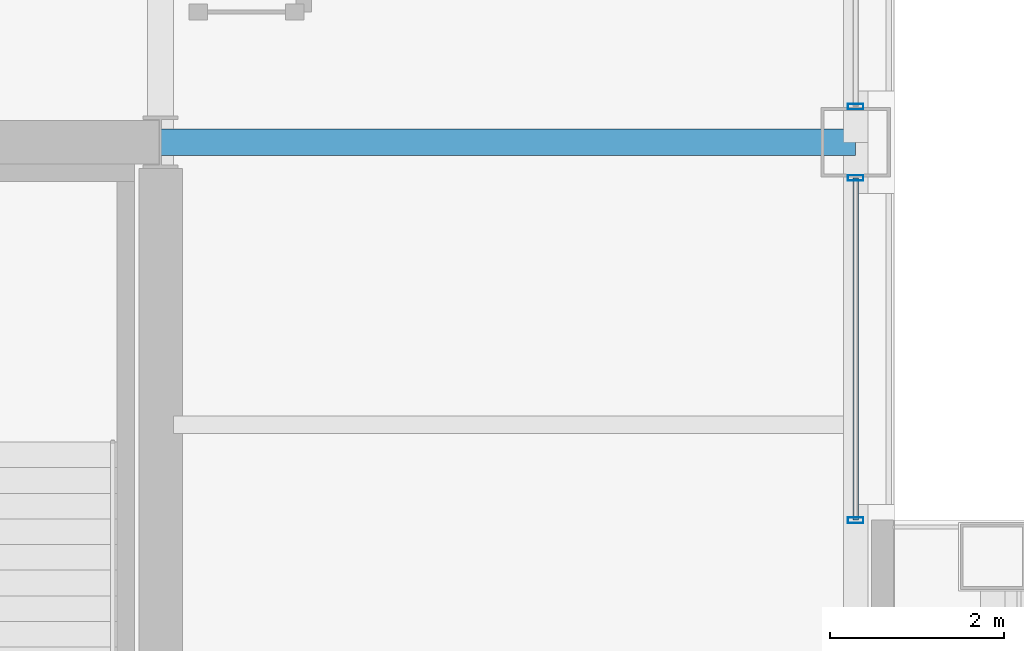
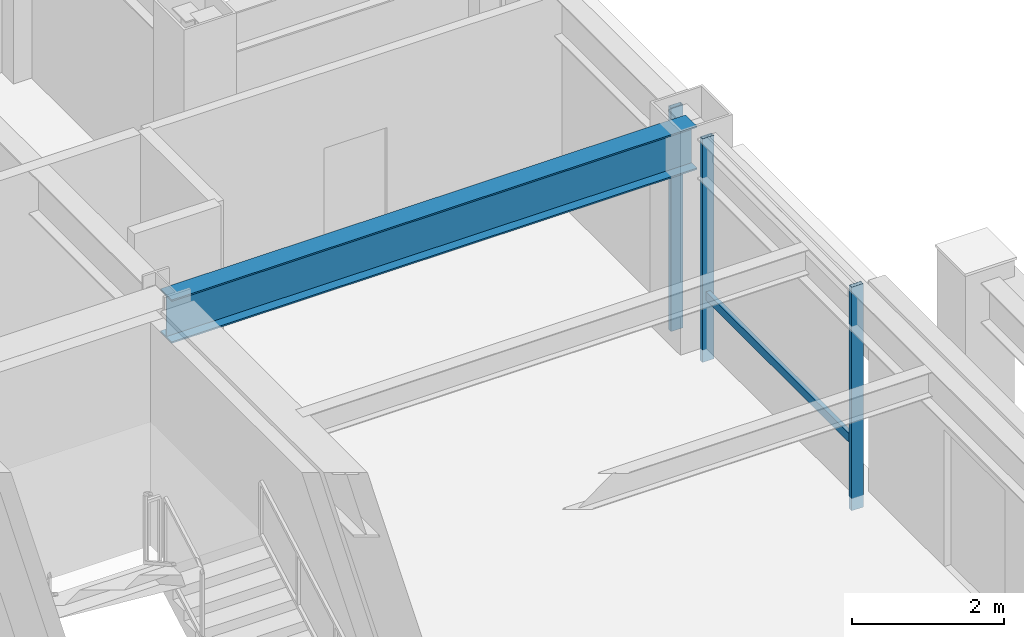
# One storey, part 16 of 29: 4 members, 1 beam, 2 elements without a shape of their own.
"""IFC4 building model written with IfcOpenShell, lengths in metres."""

from ifc_helpers import new_model, si_unit, direction, frame, origin, origin_2d, place, context, subcontext, project, spatial, hollow_rectangle, i_section, extrude, material, layer, layer_set, material_profile, profile_set, type_object, element, aggregate, save


model = new_model("IFC4")

# Units and contexts
model_context = context("Model", 3, precision=1e-05, world=origin(), true_north=direction((0.0, 1.0)))
body_context = subcontext(model_context, "Body", "Model", "MODEL_VIEW")
ifc_project = project(units=[si_unit("LENGTHUNIT", "METRE"), si_unit("AREAUNIT", "SQUARE_METRE"), si_unit("VOLUMEUNIT", "CUBIC_METRE"), si_unit("PLANEANGLEUNIT", "RADIAN"), si_unit("MASSUNIT", "GRAM", prefix="KILO")], contexts=[model_context])

# Site, building, storey
site_placement = place(None, origin())
site = spatial("IfcSite", under=ifc_project, at=site_placement, CompositionType="ELEMENT")
building_placement = place(site_placement, origin())
building = spatial("IfcBuilding", under=site, at=building_placement, Name="Brelmoor Portico Tower", CompositionType="ELEMENT")
storey_placement = place(building_placement, frame((0.0, 0.0, 138.60009765625)))
storey = spatial("IfcBuildingStorey", under=building, at=storey_placement, Name="L36", CompositionType="ELEMENT", Elevation=138.60009765625)

# Beam
ifc_material_1 = material(Name="Steel Q355B", Category="steel")
ifc_material_profile_1 = material_profile(ifc_material_1, i_section(OverallWidth=0.300048828125, OverallDepth=0.699951171875, WebThickness=0.012939453125, FlangeThickness=0.02392578125, at=origin_2d()), Name="HN 700x300x13x24")
ifc_profile_set_1 = profile_set([ifc_material_profile_1], Name="Steel Q355B")
beam_type = type_object("IfcBeamType", Name="BM-PG-700", PredefinedType="BEAM", material=ifc_profile_set_1)
beam_placement = place(storey_placement, frame((14.550048828125, 9.75, 3.0498046875), z_axis=(1.0, 0.0, 0.0), x_axis=(0.0, 1.0, 0.0)))
element("IfcBeam", 1, at=beam_placement, inside=storey, type_object=beam_type, Name="L36 Primary Floor Girder PG-26", PredefinedType="BEAM", context=body_context, shape_type="SweptSolid", body=[
    extrude(i_section(OverallWidth=0.300048828125, OverallDepth=0.699951171875, WebThickness=0.012939453125, FlangeThickness=0.02392578125, at=origin_2d()), origin(), (0.0, 0.0, 1.0), 8.0),
])

# Curtain wall, members
ifc_material_2 = material(Name="Anodised Aluminium Alloy 6063-T6", Category="aluminium")
ifc_layer_1 = layer(ifc_material_2, 0.179931640625)
ifc_layer_set_1 = layer_set([ifc_layer_1], Name="Anodised Aluminium Alloy 6063-T6")
curtain_wall_type_1 = type_object("IfcCurtainWallType", Name="CW-TOWER-Z2", PredefinedType="NOTDEFINED", material=ifc_layer_set_1)
curtain_wall_1_placement = place(storey_placement, origin())
curtain_wall_1 = element("IfcCurtainWall", 2, at=curtain_wall_1_placement, inside=storey, type_object=curtain_wall_type_1, Name="L36 Curtain Wall CW-L36-4R-1", PredefinedType="NOTDEFINED")
ifc_material_profile_2 = material_profile(ifc_material_2, hollow_rectangle(XDim=0.06494140625, YDim=0.179931640625, WallThickness=0.00390625, at=origin_2d()), Name="ALU MULLION 65x180")
ifc_profile_set_2 = profile_set([ifc_material_profile_2], Name="Anodised Aluminium Alloy 6063-T6")
member_type_1 = type_object("IfcMemberType", Name="MB-CW-MULL-180", PredefinedType="MULLION", material=ifc_profile_set_2)
member_1_placement = place(storey_placement, frame((22.550048828125, 5.39990234375, -0.2001953125), z_axis=(0.0, 0.0, 1.0), x_axis=(0.0, 1.0, 0.0)))
member_1 = element("IfcMember", 3, at=member_1_placement, type_object=member_type_1, Name="CW-L36-4R-1 Mullion 00", PredefinedType="MULLION", context=body_context, shape_type="SweptSolid", body=[
    extrude(hollow_rectangle(XDim=0.06494140625, YDim=0.179931640625, WallThickness=0.00390625, at=origin_2d()), origin(), (0.0, 0.0, 1.0), 3.60009765625),
])
member_2_placement = place(storey_placement, frame((22.550048828125, 9.340087890625, -0.2001953125), z_axis=(0.0, 0.0, 1.0), x_axis=(0.0, 1.0, 0.0)))
member_2 = element("IfcMember", 4, at=member_2_placement, type_object=member_type_1, Name="CW-L36-4R-1 Mullion 01", PredefinedType="MULLION", context=body_context, shape_type="SweptSolid", body=[
    extrude(hollow_rectangle(XDim=0.06494140625, YDim=0.179931640625, WallThickness=0.00390625, at=origin_2d()), origin(), (0.0, 0.0, 1.0), 3.60009765625),
])

# Curtain wall, member
ifc_layer_2 = layer(ifc_material_2, 0.179931640625)
ifc_layer_set_2 = layer_set([ifc_layer_2], Name="Anodised Aluminium Alloy 6063-T6")
curtain_wall_type_2 = type_object("IfcCurtainWallType", Name="CW-TOWER-Z2-XB", PredefinedType="NOTDEFINED", material=ifc_layer_set_2)
curtain_wall_2_placement = place(storey_placement, origin())
curtain_wall_2 = element("IfcCurtainWall", 5, at=curtain_wall_2_placement, inside=storey, type_object=curtain_wall_type_2, Name="L36 Curtain Wall CW-L36-4R-2", PredefinedType="NOTDEFINED")
member_3_placement = place(storey_placement, frame((22.550048828125, 10.159912109375, -0.2001953125), z_axis=(0.0, 0.0, 1.0), x_axis=(0.0, 1.0, 0.0)))
member_3 = element("IfcMember", 6, at=member_3_placement, type_object=member_type_1, Name="CW-L36-4R-2 Mullion 00", PredefinedType="MULLION", context=body_context, shape_type="SweptSolid", body=[
    extrude(hollow_rectangle(XDim=0.06494140625, YDim=0.179931640625, WallThickness=0.00390625, at=origin_2d()), origin(), (0.0, 0.0, 1.0), 3.60009765625),
])
aggregate(curtain_wall_2, [member_3])

# Member
ifc_material_profile_3 = material_profile(ifc_material_2, hollow_rectangle(XDim=0.06494140625, YDim=0.139892578125, WallThickness=0.00390625, at=origin_2d()), Name="ALU TRANSOM 65x140")
ifc_profile_set_3 = profile_set([ifc_material_profile_3], Name="Anodised Aluminium Alloy 6063-T6")
member_type_2 = type_object("IfcMemberType", Name="MB-CW-TRAN-140", PredefinedType="USERDEFINED", material=ifc_profile_set_3)
member_4_placement = place(storey_placement, frame((22.550048828125, 5.39990234375, 0.849853515625), z_axis=(0.0, 1.0, 0.0), x_axis=(-1.0, 0.0, 0.0)))
member_4 = element("IfcMember", 7, at=member_4_placement, type_object=member_type_2, Name="CW-L36-4R-1 Transom 1-00", ObjectType="TRANSOM", PredefinedType="USERDEFINED", context=body_context, shape_type="SweptSolid", body=[
    extrude(hollow_rectangle(XDim=0.06494140625, YDim=0.139892578125, WallThickness=0.00390625, at=origin_2d()), origin(), (0.0, 0.0, 1.0), 3.940185546875),
])

aggregate(curtain_wall_1, [member_1, member_2, member_4])

save(model, "model.ifc")
